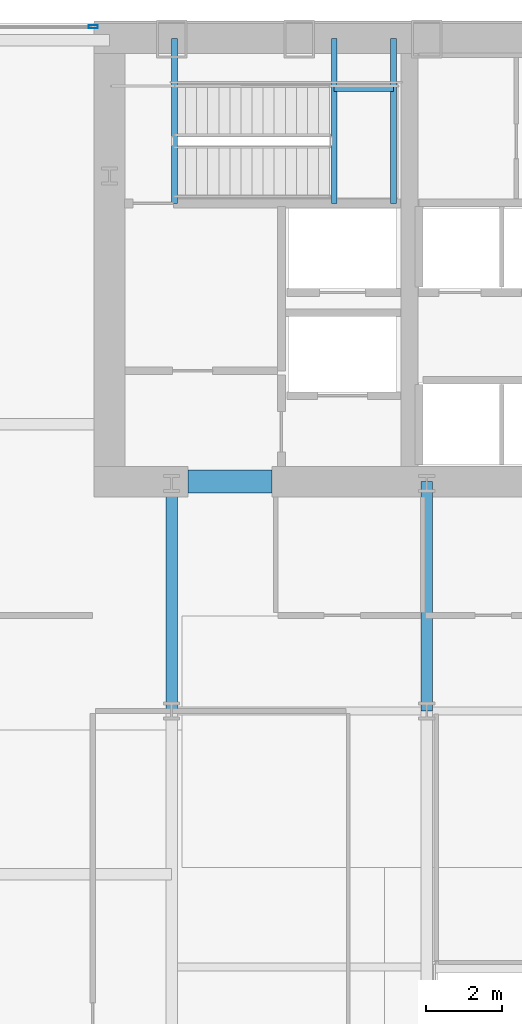
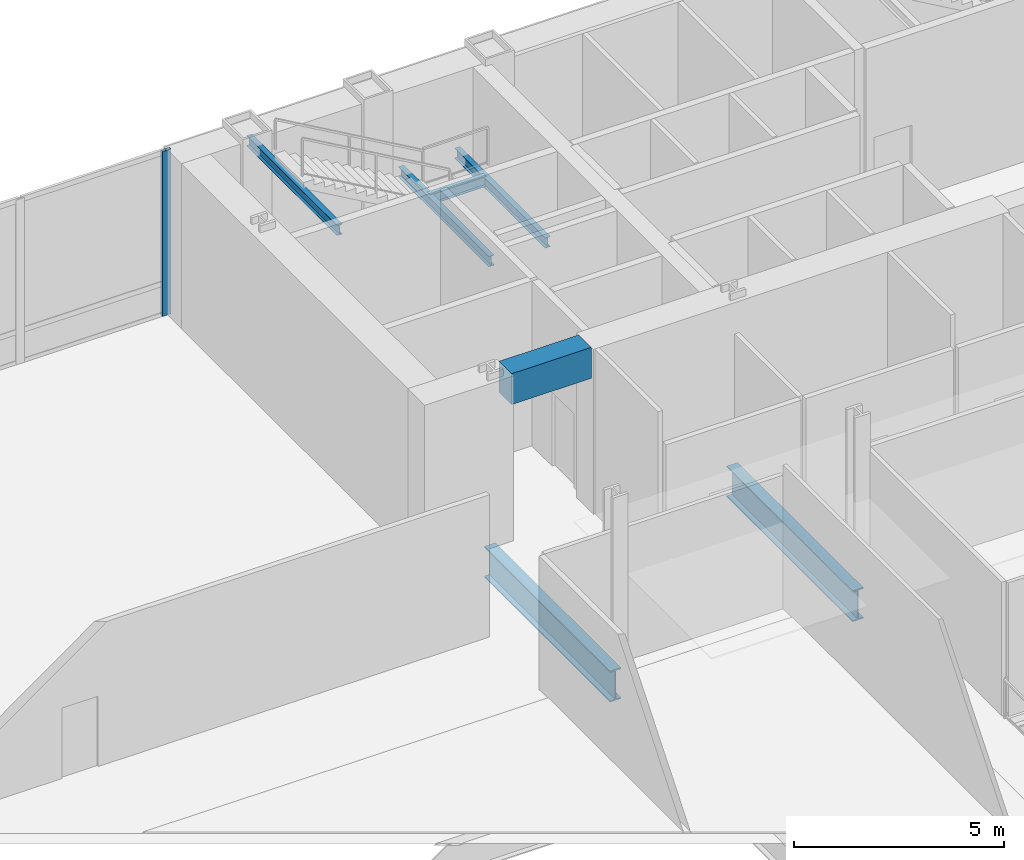
# One storey, part 11 of 25: 7 beams, 1 member, 1 element without a shape of its own.
"""IFC4 building model written with IfcOpenShell, lengths in metres."""

from ifc_helpers import new_model, si_unit, direction, frame, origin, origin_2d, place, context, subcontext, project, spatial, rectangle, hollow_rectangle, i_section, extrude, material, material_profile, profile_set, type_object, element, aggregate, save


model = new_model("IFC4")

# Units and contexts
model_context = context("Model", 3, precision=1e-05, world=origin(), true_north=direction((0.0, 1.0)))
body_context = subcontext(model_context, "Body", "Model", "MODEL_VIEW")
ifc_project = project(units=[si_unit("LENGTHUNIT", "METRE"), si_unit("AREAUNIT", "SQUARE_METRE"), si_unit("VOLUMEUNIT", "CUBIC_METRE"), si_unit("PLANEANGLEUNIT", "RADIAN"), si_unit("MASSUNIT", "GRAM", prefix="KILO")], contexts=[model_context])

# Site, building, storey
site_placement = place(None, origin())
site = spatial("IfcSite", under=ifc_project, at=site_placement, CompositionType="ELEMENT")
building_placement = place(site_placement, origin())
building = spatial("IfcBuilding", under=site, at=building_placement, Name="Khoronbel Lancet Exchange", CompositionType="ELEMENT")
storey_placement = place(building_placement, frame((0.0, 0.0, 10.39990234375)))
storey = spatial("IfcBuildingStorey", under=building, at=storey_placement, Name="L02", CompositionType="ELEMENT", Elevation=10.39990234375)

# Beams
ifc_material_1 = material(Name="Steel S355", Category="steel")
ifc_material_profile_1 = material_profile(ifc_material_1, i_section(OverallWidth=0.300048828125, OverallDepth=0.89990234375, WebThickness=0.0185546875, FlangeThickness=0.034912109375, at=origin_2d()), Name="HEB 900")
ifc_profile_set_1 = profile_set([ifc_material_profile_1], Name="Steel S355")
beam_type_1 = type_object("IfcBeamType", Name="BM-BG1", PredefinedType="BEAM", material=ifc_profile_set_1)
for number, where, z_axis, x_axis, name in (
    (1, (18.22509765625, 35.699951171875, -0.64990234375), (0.0, 1.0, 0.0), (-1.0, 0.0, 0.0), "Level L02 spine tie girder GN1"),
    (2, (24.89990234375, 35.699951171875, -0.64990234375), (0.0, 1.0, 0.0), (-1.0, 0.0, 0.0), "Level L02 spine tie girder GN2"),
):
    element("IfcBeam", number, at=place(storey_placement, frame(where, z_axis=z_axis, x_axis=x_axis)), inside=storey, type_object=beam_type_1, Name=name, PredefinedType="BEAM", context=body_context, shape_type="SweptSolid", body=[
        extrude(i_section(OverallWidth=0.300048828125, OverallDepth=0.89990234375, WebThickness=0.0185546875, FlangeThickness=0.034912109375, at=origin_2d()), origin(), (0.0, 0.0, 1.0), 6.0),
    ])
ifc_material_profile_2 = material_profile(ifc_material_1, i_section(OverallWidth=0.14990234375, OverallDepth=0.300048828125, WebThickness=0.007080078125, FlangeThickness=0.0107421875, at=origin_2d()), Name="IPE 300")
ifc_profile_set_2 = profile_set([ifc_material_profile_2], Name="Steel S355")
beam_type_2 = type_object("IfcBeamType", Name="BM-BJ8", PredefinedType="JOIST", material=ifc_profile_set_2)
for number, where, z_axis, x_axis, name in (
    (3, (22.47998046875, 48.97998046875, 2.150146484375), (0.0, 1.0, 0.0), (-1.0, 0.0, 0.0), "Level L02 stair ST1 landing bearer beam 1"),
    (4, (24.030029296875, 48.97998046875, 2.150146484375), (0.0, 1.0, 0.0), (-1.0, 0.0, 0.0), "Level L02 stair ST1 rear landing bearer beam 1"),
):
    element("IfcBeam", number, at=place(storey_placement, frame(where, z_axis=z_axis, x_axis=x_axis)), inside=storey, type_object=beam_type_2, Name=name, PredefinedType="JOIST", context=body_context, shape_type="SweptSolid", body=[
        extrude(i_section(OverallWidth=0.14990234375, OverallDepth=0.300048828125, WebThickness=0.007080078125, FlangeThickness=0.0107421875, at=origin_2d()), origin(), (0.0, 0.0, 1.0), 4.320068359375),
    ])
beam_1_placement = place(storey_placement, frame((22.47998046875, 51.97998046875, 2.150146484375), z_axis=(1.0, 0.0, 0.0), x_axis=(0.0, 1.0, 0.0)))
element("IfcBeam", 5, at=beam_1_placement, inside=storey, type_object=beam_type_2, Name="Level L02 stair ST1 landing cross trimmer beam 1", PredefinedType="JOIST", context=body_context, shape_type="SweptSolid", body=[
    extrude(i_section(OverallWidth=0.14990234375, OverallDepth=0.300048828125, WebThickness=0.007080078125, FlangeThickness=0.0107421875, at=origin_2d()), origin(), (0.0, 0.0, 1.0), 1.550048828125),
])
beam_2_placement = place(storey_placement, frame((18.300048828125, 48.97998046875, 4.52001953125), z_axis=(0.0, 1.0, 0.0), x_axis=(-1.0, 0.0, 0.0)))
element("IfcBeam", 6, at=beam_2_placement, inside=storey, type_object=beam_type_2, Name="Level L02 stair ST1 upper-flight arrival trimmer beam", PredefinedType="JOIST", context=body_context, shape_type="SweptSolid", body=[
    extrude(i_section(OverallWidth=0.14990234375, OverallDepth=0.300048828125, WebThickness=0.007080078125, FlangeThickness=0.0107421875, at=origin_2d()), origin(), (0.0, 0.0, 1.0), 4.320068359375),
])
ifc_material_2 = material(Name="Concrete C80/95", Category="concrete")
ifc_material_profile_3 = material_profile(ifc_material_2, rectangle(XDim=0.60009765625, YDim=0.89990234375, at=origin_2d()), Name="RC 600x900")
ifc_profile_set_3 = profile_set([ifc_material_profile_3], Name="Concrete C80/95")
beam_type_3 = type_object("IfcBeamType", Name="BM-BL1", PredefinedType="LINTEL", material=ifc_profile_set_3)
beam_3_placement = place(storey_placement, frame((18.64990234375, 41.699951171875, 4.35009765625), z_axis=(1.0, 0.0, 0.0), x_axis=(0.0, 1.0, 0.0)))
element("IfcBeam", 7, at=beam_3_placement, inside=storey, type_object=beam_type_3, Name="Level L02 rear core coupling lintel L1", PredefinedType="LINTEL", context=body_context, shape_type="SweptSolid", body=[
    extrude(rectangle(XDim=0.60009765625, YDim=0.89990234375, at=origin_2d()), origin(), (0.0, 0.0, 1.0), 2.2001953125),
])

# Curtain wall, member
ifc_material_3 = material(Name="Low-E Solar Control Insulating Glass", Category="glass")
curtain_wall_type = type_object("IfcCurtainWallType", Name="CW-5", PredefinedType="NOTDEFINED", material=ifc_material_3)
curtain_wall_placement = place(storey_placement, origin())
curtain_wall = element("IfcCurtainWall", 8, at=curtain_wall_placement, inside=storey, type_object=curtain_wall_type, Name="Unitised curtain wall CW-L02-NW", PredefinedType="NOTDEFINED")
ifc_material_4 = material(Name="Bronze-Anodised Aluminium 6063-T6", Category="aluminium")
ifc_material_profile_4 = material_profile(ifc_material_4, hollow_rectangle(XDim=0.0849609375, YDim=0.239990234375, WallThickness=0.006103515625, at=origin_2d()), Name="ALU MULLION 85x240")
ifc_profile_set_4 = profile_set([ifc_material_profile_4], Name="Bronze-Anodised Aluminium 6063-T6")
member_type = type_object("IfcMemberType", Name="MEM-CWM1", PredefinedType="MULLION", material=ifc_profile_set_4)
member_placement = place(storey_placement, frame((16.177490234375, 53.60009765625, 0.0), z_axis=(0.0, 0.0, 1.0), x_axis=(0.0, 1.0, 0.0)))
member = element("IfcMember", 9, at=member_placement, type_object=member_type, Name="CW5 mullion 4", PredefinedType="MULLION", context=body_context, shape_type="SweptSolid", body=[
    extrude(hollow_rectangle(XDim=0.0849609375, YDim=0.239990234375, WallThickness=0.006103515625, at=origin_2d()), origin(), (0.0, 0.0, 1.0), 4.800048828125),
])
aggregate(curtain_wall, [member])

save(model, "model.ifc")
